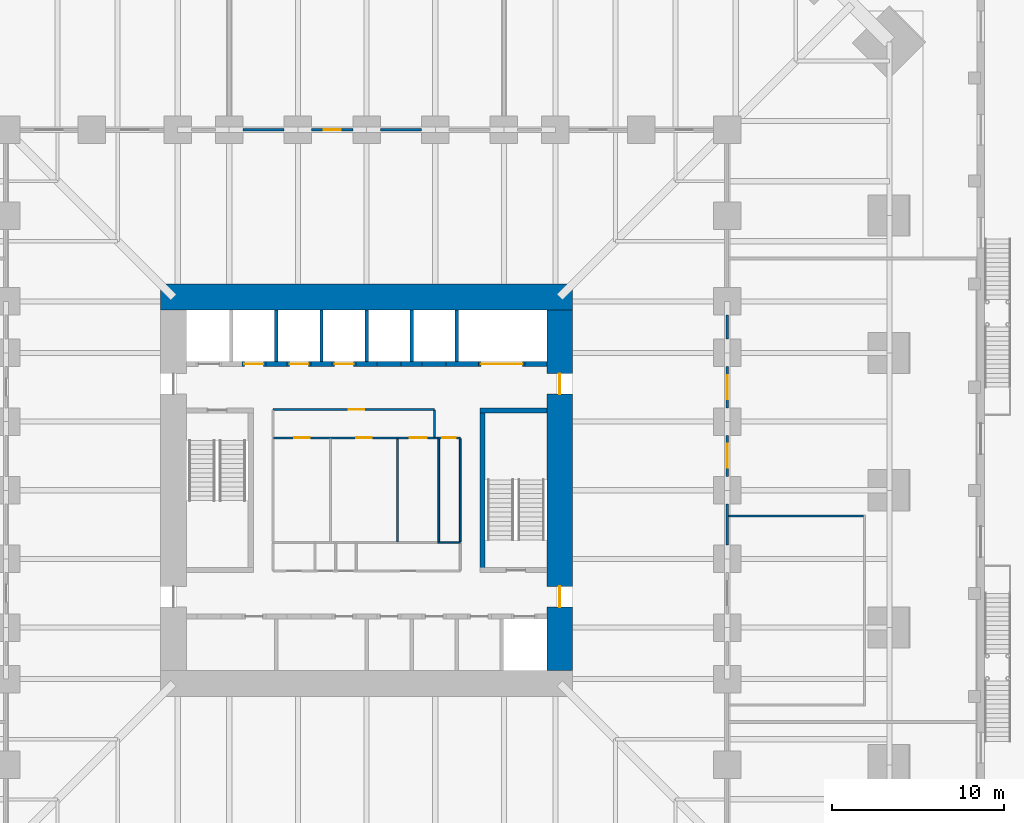
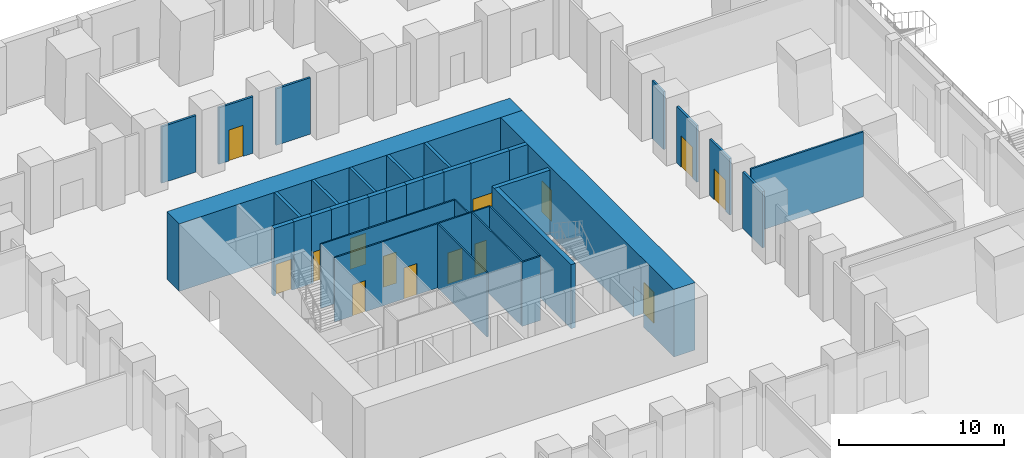
# One storey, part 13 of 20: 37 walls, 14 doors, 14 openings.
"""IFC4 building model written with IfcOpenShell, lengths in metres."""

import ifcopenshell
import ifcopenshell.guid

model = None  # the IFC model being written
_history = None  # IfcOwnerHistory: only IFC2X3 demands one
_inside = {}  # id of a spatial element -> (the spatial element, [elements in it])
_under = {}  # id of a project, library or spatial element -> (it, [spatial elements below it])
_declared = {}  # id of a project -> (the project, [libraries it declares])
_typed = {}  # id of a type object -> (the type object, [elements of that type])
_made_of = {}  # id of a material, layer set ... -> (it, [elements and type objects made of it])


def new_model(schema):
    """Start an empty IFC model of exactly this schema.

    Asked for "IFC4X3", IfcOpenShell would pick the latest addendum, in which some entities
    have other attributes; the version numbers below select the first issue.
    IFC2X3 requires an IfcOwnerHistory on every rooted entity: one is made here for all.
    """
    global model, _history
    if schema == "IFC4X3":
        model = ifcopenshell.file(schema_version=(4, 3, 0, 0))
    else:
        model = ifcopenshell.file(schema=schema)
    _inside.clear()
    _under.clear()
    _declared.clear()
    _typed.clear()
    _made_of.clear()
    _history = None
    if model.schema == "IFC2X3":
        org = make("IfcOrganization", Name="unknown")
        user = make(
            "IfcPersonAndOrganization",
            ThePerson=make("IfcPerson", FamilyName="unknown"),
            TheOrganization=org,
        )
        app = make(
            "IfcApplication",
            ApplicationDeveloper=org,
            Version="unknown",
            ApplicationFullName="unknown",
            ApplicationIdentifier="unknown",
        )
        _history = make(
            "IfcOwnerHistory",
            OwningUser=user,
            OwningApplication=app,
            ChangeAction="ADDED",
            CreationDate=0,
        )
    return model


def make(cls, **values):
    """One entity of the class cls with the attributes given. An attribute that is None is left unset."""
    return model.create_entity(
        cls, **{name: value for name, value in values.items() if value is not None}
    )


def rooted(cls, **values):
    """An entity with a GlobalId (a new one), such as an element, a storey or a relation."""
    return make(cls, GlobalId=ifcopenshell.guid.new(), OwnerHistory=_history, **values)


def si_unit(unit_type, name, prefix=None):
    """IfcSIUnit, for example si_unit("LENGTHUNIT", "METRE", prefix="MILLI")."""
    return make("IfcSIUnit", UnitType=unit_type, Prefix=prefix, Name=name)


def assignment(units):
    """IfcUnitAssignment: the units of a project."""
    return None if units is None else make("IfcUnitAssignment", Units=units)


def point(xyz):
    """IfcCartesianPoint."""
    return None if xyz is None else make("IfcCartesianPoint", Coordinates=xyz)


def direction(xyz):
    """IfcDirection."""
    return None if xyz is None else make("IfcDirection", DirectionRatios=xyz)


def frame(location, z_axis=None, x_axis=None):
    """IfcAxis2Placement3D, a coordinate frame: its origin and axes. An axis left out is left unset."""
    return make(
        "IfcAxis2Placement3D",
        Location=point(location),
        Axis=direction(z_axis),
        RefDirection=direction(x_axis),
    )


def frame_2d(location, x_axis=None):
    """IfcAxis2Placement2D, a coordinate frame in the plane: its origin and x axis."""
    return make(
        "IfcAxis2Placement2D", Location=point(location), RefDirection=direction(x_axis)
    )


def origin():
    """The frame at (0, 0, 0) with its axes left unset."""
    return frame((0.0, 0.0, 0.0))


def place(relative_to, where):
    """IfcLocalPlacement: puts the frame where relative to a parent placement (None: the world)."""
    return make(
        "IfcLocalPlacement", PlacementRelTo=relative_to, RelativePlacement=where
    )


def context(
    kind, dimensions, precision=None, world=None, true_north=None, identifier=None
):
    """IfcGeometricRepresentationContext, for example the 3D "Model" context."""
    return make(
        "IfcGeometricRepresentationContext",
        ContextIdentifier=identifier,
        ContextType=kind,
        CoordinateSpaceDimension=dimensions,
        Precision=precision,
        WorldCoordinateSystem=world,
        TrueNorth=true_north,
    )


def subcontext(parent, identifier, kind, view, scale=None):
    """IfcGeometricRepresentationSubContext, for example "Body" below "Model"."""
    return make(
        "IfcGeometricRepresentationSubContext",
        ContextIdentifier=identifier,
        ContextType=kind,
        ParentContext=parent,
        TargetScale=scale,
        TargetView=view,
    )


def project(units=None, contexts=None):
    """IfcProject with its units and contexts."""
    return rooted(
        "IfcProject",
        Name="project",
        RepresentationContexts=contexts,
        UnitsInContext=assignment(units),
    )


def spatial(cls, under=None, at=None, **own):
    """A site, building, storey or space (cls), placed at a placement, below another one or the project."""
    s = rooted(cls, ObjectPlacement=at, **own)
    if under is not None:
        _under.setdefault(under.id(), (under, []))[1].append(s)
    return s


def profile(cls, at=None, kind="AREA", **sizes):
    """A parametric profile (cls). Its sizes go by their IFC names, for example OverallWidth=200.0."""
    return make(cls, ProfileType=kind, Position=at, **sizes)


def rectangle(**sizes):
    """IfcRectangleProfileDef."""
    return profile("IfcRectangleProfileDef", **sizes)


def extrude(swept, where, along, depth):
    """IfcExtrudedAreaSolid: the profile swept, set in the frame where, extruded along a direction by depth."""
    return make(
        "IfcExtrudedAreaSolid",
        SweptArea=swept,
        Position=where,
        ExtrudedDirection=direction(along),
        Depth=depth,
    )


def shape(context_of_items, identifier, shape_type, items):
    """IfcShapeRepresentation: the items that make up one representation, for example the "Body"."""
    return make(
        "IfcShapeRepresentation",
        ContextOfItems=context_of_items,
        RepresentationIdentifier=identifier,
        RepresentationType=shape_type,
        Items=items,
    )


def material(Name=None, Category=None):
    """IfcMaterial."""
    return make("IfcMaterial", Name=Name, Category=Category)


def layer(
    of_material, thickness, ventilated=None, Name=None, Category=None, Priority=None
):
    """IfcMaterialLayer: one layer of a wall or slab, of a material (None: an air gap)."""
    return make(
        "IfcMaterialLayer",
        Material=of_material,
        LayerThickness=thickness,
        IsVentilated=ventilated,
        Name=Name,
        Category=Category,
        Priority=Priority,
    )


def layer_set(layers, Name=None):
    """IfcMaterialLayerSet."""
    return make("IfcMaterialLayerSet", MaterialLayers=layers, LayerSetName=Name)


def made_of(thing, what):
    """Note that an element or type object is made of a material, layer set ...; save() writes the relation."""
    if what is not None:
        _made_of.setdefault(what.id(), (what, []))[1].append(thing)
    return thing


def type_object(cls, material=None, **own):
    """A type object (cls), such as IfcWallType, which elements share."""
    return made_of(rooted(cls, **own), material)


def element(
    cls,
    number,
    at=None,
    inside=None,
    cuts=None,
    type_object=None,
    material=None,
    context=None,
    identifier="Body",
    shape_type=None,
    held_by="IfcProductDefinitionShape",
    body=None,
    shapes=None,
    **own,
):
    """One element of the class cls, such as IfcWall. Its Tag is "e" and its number.

    at: its placement. inside: the storey or other place that contains it. cuts: it is an
    opening in that element (IfcRelVoidsElement). A single representation is given by context,
    identifier, shape_type and body (its items); several are given by shapes. held_by: the class
    of the entity that holds the representations. save() writes the other relations.
    """
    e = rooted(cls, Tag="e%d" % number, ObjectPlacement=at, **own)
    if body is not None:
        shapes = [shape(context, identifier, shape_type, body)]
    if shapes is not None:
        e.Representation = make(held_by, Representations=shapes)
    if inside is not None:
        _inside.setdefault(inside.id(), (inside, []))[1].append(e)
    if cuts is not None:
        rooted(
            "IfcRelVoidsElement", RelatingBuildingElement=cuts, RelatedOpeningElement=e
        )
    if type_object is not None:
        _typed.setdefault(type_object.id(), (type_object, []))[1].append(e)
    return made_of(e, material)


def fill(opening, filler):
    """IfcRelFillsElement: the door or window that sits in an opening."""
    return rooted(
        "IfcRelFillsElement",
        RelatingOpeningElement=opening,
        RelatedBuildingElement=filler,
    )


def aggregate(whole, parts):
    """IfcRelAggregates: a whole, such as a stair, and the parts it consists of."""
    return rooted("IfcRelAggregates", RelatingObject=whole, RelatedObjects=parts)


def save(model, path):
    """Write the relations noted so far, then the file.

    IfcRelAggregates (storeys below a building ...), IfcRelContainedInSpatialStructure (elements
    in a storey), IfcRelDefinesByType, IfcRelAssociatesMaterial and IfcRelDeclares: one each for
    every whole, place, type object, material and project.
    """
    for whole, parts in _under.values():
        aggregate(whole, parts)
    for where, things in _inside.values():
        rooted(
            "IfcRelContainedInSpatialStructure",
            RelatedElements=things,
            RelatingStructure=where,
        )
    for kind, things in _typed.values():
        rooted("IfcRelDefinesByType", RelatedObjects=things, RelatingType=kind)
    for what, things in _made_of.values():
        rooted("IfcRelAssociatesMaterial", RelatedObjects=things, RelatingMaterial=what)
    for by, libraries in _declared.values():
        rooted("IfcRelDeclares", RelatingContext=by, RelatedDefinitions=libraries)
    model.write(path)


model = new_model("IFC4")

# Units and contexts
model_context = context("Model", 3, precision=1e-05, world=origin(), true_north=direction((0.0, 1.0)))
body_context = subcontext(model_context, "Body", "Model", "MODEL_VIEW")
ifc_project = project(units=[si_unit("LENGTHUNIT", "METRE"), si_unit("AREAUNIT", "SQUARE_METRE"), si_unit("VOLUMEUNIT", "CUBIC_METRE"), si_unit("PLANEANGLEUNIT", "RADIAN"), si_unit("MASSUNIT", "GRAM", prefix="KILO")], contexts=[model_context])

# Site, building, storey
site_placement = place(None, origin())
site = spatial("IfcSite", under=ifc_project, at=site_placement, CompositionType="ELEMENT")
building_placement = place(site_placement, origin())
building = spatial("IfcBuilding", under=site, at=building_placement, Name="Peilmerk Tower", CompositionType="ELEMENT")
storey_placement = place(building_placement, frame((0.0, 0.0, 11.0)))
storey = spatial("IfcBuildingStorey", under=building, at=storey_placement, Name="L02", CompositionType="ELEMENT", Elevation=11.0)

# Wall
ifc_material_1 = material(Name="Calcium silicate block", Category="masonry")
ifc_layer_1 = layer(ifc_material_1, 0.14990234375)
ifc_layer_set_1 = layer_set([ifc_layer_1], Name="Calcium silicate block")
wall_type_1 = type_object("IfcWallType", Name="IW1 150 corridor partition, EI 60", PredefinedType="PARTITIONING", material=ifc_layer_set_1)
wall_1_placement = place(storey_placement, frame((-7.199951171875, 21.0, 0.0), z_axis=(0.0, 0.0, 1.0), x_axis=(1.0, 0.0, 0.0)))
element("IfcWall", 1, at=wall_1_placement, inside=storey, type_object=wall_type_1, Name="Corridor wall Nd L02", PredefinedType="PARTITIONING", context=body_context, shape_type="SweptSolid", body=[
    extrude(rectangle(XDim=2.39990234375, YDim=0.14990234375, at=frame_2d((1.199951171875, 0.0))), origin(), (0.0, 0.0, 1.0), 4.179931640625),
])

# Wall, opening, door
wall_2_placement = place(storey_placement, frame((-3.199951171875, 21.0, 0.0), z_axis=(0.0, 0.0, 1.0), x_axis=(1.0, 0.0, 0.0)))
wall_2 = element("IfcWall", 2, at=wall_2_placement, inside=storey, type_object=wall_type_1, Name="Corridor wall Ne L02", PredefinedType="PARTITIONING", context=body_context, shape_type="SweptSolid", body=[
    extrude(rectangle(XDim=2.39990234375, YDim=0.14990234375, at=frame_2d((1.199951171875, 0.0))), origin(), (0.0, 0.0, 1.0), 4.179931640625),
])
opening_1_placement = place(wall_2_placement, frame((0.699951171875, 0.0, 0.0)))
opening_1 = element("IfcOpeningElement", 3, at=opening_1_placement, cuts=wall_2, Name="Opening D1", PredefinedType="OPENING", context=body_context, shape_type="SweptSolid", body=[
    extrude(rectangle(XDim=1.0, YDim=2.300048828125, at=frame_2d((0.5, 1.14990234375))), frame((0.0, 0.0849609375, 0.0), z_axis=(0.0, -1.0, 0.0), x_axis=(1.0, 0.0, 0.0)), (0.0, 0.0, 1.0), 0.169921875),
])
ifc_material_2 = material(Name="Timber door in steel frame", Category="steel")
door_type_1 = type_object("IfcDoorType", Name="D1 1000x2300 room door, EI2 30", OperationType="SINGLE_SWING_LEFT", PredefinedType="DOOR", material=ifc_material_2)
door_1_placement = place(opening_1_placement, origin())
door_1 = element("IfcDoor", 4, at=door_1_placement, inside=storey, type_object=door_type_1, Name="Door Visitor gallery L02", OperationType="SINGLE_SWING_LEFT", OverallHeight=2.300048828125, OverallWidth=1.0, PredefinedType="DOOR", context=body_context, shape_type="SweptSolid", body=[
    extrude(rectangle(XDim=1.0, YDim=2.300048828125, at=frame_2d((0.5, 1.14990234375))), frame((0.0, 0.02490234375, 0.0), z_axis=(0.0, -1.0, 0.0), x_axis=(1.0, 0.0, 0.0)), (0.0, 0.0, 1.0), 0.050048828125),
])
fill(opening_1, door_1)

# Walls
for number, where, z_axis, x_axis, name in (
    (5, (0.800048828125, 21.0, 0.0), (0.0, 0.0, 1.0), (1.0, 0.0, 0.0), "Corridor wall Nf L02"),
    (6, (21.0, -3.199951171875, 0.0), (0.0, 0.0, 1.0), (0.0, 1.0, 0.0), "Corridor wall Ee L02"),
):
    element("IfcWall", number, at=place(storey_placement, frame(where, z_axis=z_axis, x_axis=x_axis)), inside=storey, type_object=wall_type_1, Name=name, PredefinedType="PARTITIONING", context=body_context, shape_type="SweptSolid", body=[
        extrude(rectangle(XDim=2.39990234375, YDim=0.14990234375, at=frame_2d((1.199951171875, 0.0))), origin(), (0.0, 0.0, 1.0), 4.179931640625),
    ])

# Wall, opening, door
wall_3_placement = place(storey_placement, frame((21.0, 0.800048828125, 0.0), z_axis=(0.0, 0.0, 1.0), x_axis=(0.0, 1.0, 0.0)))
wall_3 = element("IfcWall", 7, at=wall_3_placement, inside=storey, type_object=wall_type_1, Name="Corridor wall Ef L02", PredefinedType="PARTITIONING", context=body_context, shape_type="SweptSolid", body=[
    extrude(rectangle(XDim=2.39990234375, YDim=0.14990234375, at=frame_2d((1.199951171875, 0.0))), origin(), (0.0, 0.0, 1.0), 4.179931640625),
])
opening_2_placement = place(wall_3_placement, frame((0.5, 0.0, 0.0)))
opening_2 = element("IfcOpeningElement", 8, at=opening_2_placement, cuts=wall_3, Name="Opening D8", PredefinedType="OPENING", context=body_context, shape_type="SweptSolid", body=[
    extrude(rectangle(XDim=1.39990234375, YDim=2.300048828125, at=frame_2d((0.699951171875, 1.14990234375))), frame((0.0, 0.0849609375, 0.0), z_axis=(0.0, -1.0, 0.0), x_axis=(1.0, 0.0, 0.0)), (0.0, 0.0, 1.0), 0.169921875),
])
door_type_2 = type_object("IfcDoorType", Name="D8 1400x2300 leaf-and-a-half door, EI2 30", OperationType="DOUBLE_DOOR_SINGLE_SWING", PredefinedType="DOOR", material=ifc_material_2)
door_2_placement = place(opening_2_placement, frame((1.39990234375, 0.0, 0.0), z_axis=(0.0, 0.0, 1.0), x_axis=(-1.0, 0.0, 0.0)))
door_2 = element("IfcDoor", 9, at=door_2_placement, inside=storey, type_object=door_type_2, Name="Door Open workspace L02", OperationType="DOUBLE_DOOR_SINGLE_SWING", OverallHeight=2.300048828125, OverallWidth=1.39990234375, PredefinedType="DOOR", context=body_context, shape_type="SweptSolid", body=[
    extrude(rectangle(XDim=1.39990234375, YDim=2.300048828125, at=frame_2d((0.699951171875, 1.14990234375))), frame((0.0, 0.02490234375, 0.0), z_axis=(0.0, -1.0, 0.0), x_axis=(1.0, 0.0, 0.0)), (0.0, 0.0, 1.0), 0.050048828125),
])
fill(opening_2, door_2)

wall_4_placement = place(storey_placement, frame((21.0, 4.800048828125, 0.0), z_axis=(0.0, 0.0, 1.0), x_axis=(0.0, 1.0, 0.0)))
wall_4 = element("IfcWall", 10, at=wall_4_placement, inside=storey, type_object=wall_type_1, Name="Corridor wall Eg L02", PredefinedType="PARTITIONING", context=body_context, shape_type="SweptSolid", body=[
    extrude(rectangle(XDim=2.39990234375, YDim=0.14990234375, at=frame_2d((1.199951171875, 0.0))), origin(), (0.0, 0.0, 1.0), 4.179931640625),
])
opening_3_placement = place(wall_4_placement, frame((0.5, 0.0, 0.0)))
opening_3 = element("IfcOpeningElement", 11, at=opening_3_placement, cuts=wall_4, Name="Opening D8", PredefinedType="OPENING", context=body_context, shape_type="SweptSolid", body=[
    extrude(rectangle(XDim=1.39990234375, YDim=2.300048828125, at=frame_2d((0.699951171875, 1.14990234375))), frame((0.0, 0.0849609375, 0.0), z_axis=(0.0, -1.0, 0.0), x_axis=(1.0, 0.0, 0.0)), (0.0, 0.0, 1.0), 0.169921875),
])
door_3_placement = place(opening_3_placement, frame((1.39990234375, 0.0, 0.0), z_axis=(0.0, 0.0, 1.0), x_axis=(-1.0, 0.0, 0.0)))
door_3 = element("IfcDoor", 12, at=door_3_placement, inside=storey, type_object=door_type_2, Name="Door Open workspace L02", OperationType="DOUBLE_DOOR_SINGLE_SWING", OverallHeight=2.300048828125, OverallWidth=1.39990234375, PredefinedType="DOOR", context=body_context, shape_type="SweptSolid", body=[
    extrude(rectangle(XDim=1.39990234375, YDim=2.300048828125, at=frame_2d((0.699951171875, 1.14990234375))), frame((0.0, 0.02490234375, 0.0), z_axis=(0.0, -1.0, 0.0), x_axis=(1.0, 0.0, 0.0)), (0.0, 0.0, 1.0), 0.050048828125),
])
fill(opening_3, door_3)

# Walls
wall_5_placement = place(storey_placement, frame((21.0, 8.800048828125, 0.0), z_axis=(0.0, 0.0, 1.0), x_axis=(0.0, 1.0, 0.0)))
element("IfcWall", 13, at=wall_5_placement, inside=storey, type_object=wall_type_1, Name="Corridor wall Eh L02", PredefinedType="PARTITIONING", context=body_context, shape_type="SweptSolid", body=[
    extrude(rectangle(XDim=1.39990234375, YDim=0.14990234375, at=frame_2d((0.699951171875, 0.0))), origin(), (0.0, 0.0, 1.0), 4.27587890625),
])
ifc_material_3 = material(Name="Concrete C35/45", Category="concrete")
ifc_layer_2 = layer(ifc_material_3, 0.300048828125)
ifc_layer_set_2 = layer_set([ifc_layer_2], Name="Concrete C35/45")
wall_type_2 = type_object("IfcWallType", Name="IW3 300 concrete stair enclosure wall, EI 120", PredefinedType="SOLIDWALL", material=ifc_layer_set_2)
wall_6_placement = place(storey_placement, frame((6.75, -4.800048828125, 0.0), z_axis=(0.0, 0.0, 1.0), x_axis=(0.0, 1.0, 0.0)))
element("IfcWall", 14, at=wall_6_placement, inside=storey, type_object=wall_type_2, Name="Stair 2 enclosure L02", PredefinedType="SOLIDWALL", context=body_context, shape_type="SweptSolid", body=[
    extrude(rectangle(XDim=9.60009765625, YDim=0.300048828125, at=frame_2d((4.800048828125, 0.0))), origin(), (0.0, 0.0, 1.0), 4.75),
])
wall_7_placement = place(storey_placement, frame((6.60009765625, 4.64990234375, 0.0), z_axis=(0.0, 0.0, 1.0), x_axis=(1.0, 0.0, 0.0)))
element("IfcWall", 15, at=wall_7_placement, inside=storey, type_object=wall_type_2, Name="Stair 2 enclosure L02", PredefinedType="SOLIDWALL", context=body_context, shape_type="SweptSolid", body=[
    extrude(rectangle(XDim=3.89990234375, YDim=0.300048828125, at=frame_2d((1.949951171875, 0.0))), origin(), (0.0, 0.0, 1.0), 4.75),
])

# Wall, openings, doors
ifc_material_4 = material(Name="Plasterboard on steel studs", Category="steel")
ifc_layer_3 = layer(ifc_material_4, 0.10009765625)
ifc_layer_set_3 = layer_set([ifc_layer_3], Name="Plasterboard on steel studs")
wall_type_3 = type_object("IfcWallType", Name="IW4 100 WC partition", PredefinedType="PARTITIONING", material=ifc_layer_set_3)
wall_8_placement = place(storey_placement, frame((-5.449951171875, 3.050048828125, 0.0), z_axis=(0.0, 0.0, 1.0), x_axis=(1.0, 0.0, 0.0)))
wall_8 = element("IfcWall", 16, at=wall_8_placement, inside=storey, type_object=wall_type_3, Name="WC wall L02", PredefinedType="PARTITIONING", context=body_context, shape_type="SweptSolid", body=[
    extrude(rectangle(XDim=9.599853515625, YDim=0.10009765625, at=frame_2d((4.7998046875, 0.0))), origin(), (0.0, 0.0, 1.0), 4.75),
])
opening_4_placement = place(wall_8_placement, frame((1.25, 0.0, 0.0)))
opening_4 = element("IfcOpeningElement", 17, at=opening_4_placement, cuts=wall_8, Name="Opening D5", PredefinedType="OPENING", context=body_context, shape_type="SweptSolid", body=[
    extrude(rectangle(XDim=0.89990234375, YDim=2.300048828125, at=frame_2d((0.449951171875, 1.14990234375))), frame((0.0, 0.06005859375, 0.0), z_axis=(0.0, -1.0, 0.0), x_axis=(1.0, 0.0, 0.0)), (0.0, 0.0, 1.0), 0.1201171875),
])
opening_5_placement = place(wall_8_placement, frame((4.85009765625, 0.0, 0.0)))
opening_5 = element("IfcOpeningElement", 18, at=opening_5_placement, cuts=wall_8, Name="Opening D5", PredefinedType="OPENING", context=body_context, shape_type="SweptSolid", body=[
    extrude(rectangle(XDim=0.89990234375, YDim=2.300048828125, at=frame_2d((0.449951171875, 1.14990234375))), frame((0.0, 0.06005859375, 0.0), z_axis=(0.0, -1.0, 0.0), x_axis=(1.0, 0.0, 0.0)), (0.0, 0.0, 1.0), 0.1201171875),
])
opening_6_placement = place(wall_8_placement, frame((7.949951171875, 0.0, 0.0)))
opening_6 = element("IfcOpeningElement", 19, at=opening_6_placement, cuts=wall_8, Name="Opening D6", PredefinedType="OPENING", context=body_context, shape_type="SweptSolid", body=[
    extrude(rectangle(XDim=1.0, YDim=2.300048828125, at=frame_2d((0.5, 1.14990234375))), frame((0.0, 0.06005859375, 0.0), z_axis=(0.0, -1.0, 0.0), x_axis=(1.0, 0.0, 0.0)), (0.0, 0.0, 1.0), 0.1201171875),
])
door_type_3 = type_object("IfcDoorType", Name="D5 900x2300 WC door", OperationType="SINGLE_SWING_LEFT", PredefinedType="DOOR", material=ifc_material_2)
door_4_placement = place(opening_4_placement, frame((0.89990234375, 0.0, 0.0), z_axis=(0.0, 0.0, 1.0), x_axis=(-1.0, 0.0, 0.0)))
door_4 = element("IfcDoor", 20, at=door_4_placement, inside=storey, type_object=door_type_3, Name="Female toilets door L02", OperationType="SINGLE_SWING_LEFT", OverallHeight=2.300048828125, OverallWidth=0.89990234375, PredefinedType="DOOR", context=body_context, shape_type="SweptSolid", body=[
    extrude(rectangle(XDim=0.89990234375, YDim=2.300048828125, at=frame_2d((0.449951171875, 1.14990234375))), frame((0.0, 0.02490234375, 0.0), z_axis=(0.0, -1.0, 0.0), x_axis=(1.0, 0.0, 0.0)), (0.0, 0.0, 1.0), 0.050048828125),
])
fill(opening_4, door_4)
door_5_placement = place(opening_5_placement, frame((0.89990234375, 0.0, 0.0), z_axis=(0.0, 0.0, 1.0), x_axis=(-1.0, 0.0, 0.0)))
door_5 = element("IfcDoor", 21, at=door_5_placement, inside=storey, type_object=door_type_3, Name="Male toilets door L02", OperationType="SINGLE_SWING_LEFT", OverallHeight=2.300048828125, OverallWidth=0.89990234375, PredefinedType="DOOR", context=body_context, shape_type="SweptSolid", body=[
    extrude(rectangle(XDim=0.89990234375, YDim=2.300048828125, at=frame_2d((0.449951171875, 1.14990234375))), frame((0.0, 0.02490234375, 0.0), z_axis=(0.0, -1.0, 0.0), x_axis=(1.0, 0.0, 0.0)), (0.0, 0.0, 1.0), 0.050048828125),
])
fill(opening_5, door_5)
door_type_4 = type_object("IfcDoorType", Name="D6 1000x2300 accessible WC door", OperationType="SLIDING_TO_LEFT", PredefinedType="DOOR", material=ifc_material_2)
door_6_placement = place(opening_6_placement, frame((1.0, 0.0, 0.0), z_axis=(0.0, 0.0, 1.0), x_axis=(-1.0, 0.0, 0.0)))
door_6 = element("IfcDoor", 22, at=door_6_placement, inside=storey, type_object=door_type_4, Name="Accessible WC door L02", OperationType="SLIDING_TO_LEFT", OverallHeight=2.300048828125, OverallWidth=1.0, PredefinedType="DOOR", context=body_context, shape_type="SweptSolid", body=[
    extrude(rectangle(XDim=1.0, YDim=2.300048828125, at=frame_2d((0.5, 1.14990234375))), frame((0.0, 0.02490234375, 0.0), z_axis=(0.0, -1.0, 0.0), x_axis=(1.0, 0.0, 0.0)), (0.0, 0.0, 1.0), 0.050048828125),
])
fill(opening_6, door_6)

# Wall
wall_9_placement = place(storey_placement, frame((1.800048828125, -3.0, 0.0), z_axis=(0.0, 0.0, 1.0), x_axis=(0.0, 1.0, 0.0)))
element("IfcWall", 23, at=wall_9_placement, inside=storey, type_object=wall_type_3, Name="WC wall L02", PredefinedType="PARTITIONING", context=body_context, shape_type="SweptSolid", body=[
    extrude(rectangle(XDim=6.0, YDim=0.10009765625, at=frame_2d((3.0, 0.0))), origin(), (0.0, 0.0, 1.0), 4.75),
])

# Wall, opening, door
ifc_material_5 = material(Name="Calcium silicate board on steel studs", Category="steel")
ifc_layer_4 = layer(ifc_material_5, 0.10009765625)
ifc_layer_set_4 = layer_set([ifc_layer_4], Name="Calcium silicate board on steel studs")
wall_type_4 = type_object("IfcWallType", Name="IW5 100 riser enclosure wall, EI 60", PredefinedType="PARTITIONING", material=ifc_layer_set_4)
wall_10_placement = place(storey_placement, frame((4.14990234375, 3.050048828125, 0.0), z_axis=(0.0, 0.0, 1.0), x_axis=(1.0, 0.0, 0.0)))
wall_10 = element("IfcWall", 24, at=wall_10_placement, inside=storey, type_object=wall_type_4, Name="Riser wall L02", PredefinedType="PARTITIONING", context=body_context, shape_type="SweptSolid", body=[
    extrude(rectangle(XDim=1.300048828125, YDim=0.10009765625, at=frame_2d((0.64990234375, 0.0))), origin(), (0.0, 0.0, 1.0), 4.75),
])
opening_7_placement = place(wall_10_placement, frame((0.25, 0.0, 0.0)))
opening_7 = element("IfcOpeningElement", 25, at=opening_7_placement, cuts=wall_10, Name="Opening D7", PredefinedType="OPENING", context=body_context, shape_type="SweptSolid", body=[
    extrude(rectangle(XDim=0.800048828125, YDim=2.300048828125, at=frame_2d((0.39990234375, 1.14990234375))), frame((0.0, 0.06005859375, 0.0), z_axis=(0.0, -1.0, 0.0), x_axis=(1.0, 0.0, 0.0)), (0.0, 0.0, 1.0), 0.1201171875),
])
ifc_material_6 = material(Name="Steel door in steel frame", Category="steel")
door_type_5 = type_object("IfcDoorType", Name="D7 800x2300 riser access door, EI2 60", OperationType="SINGLE_SWING_RIGHT", PredefinedType="DOOR", material=ifc_material_6)
door_7_placement = place(opening_7_placement, frame((0.800048828125, 0.0, 0.0), z_axis=(0.0, 0.0, 1.0), x_axis=(-1.0, 0.0, 0.0)))
door_7 = element("IfcDoor", 26, at=door_7_placement, inside=storey, type_object=door_type_5, Name="Plumbing riser door L02", OperationType="SINGLE_SWING_RIGHT", OverallHeight=2.300048828125, OverallWidth=0.800048828125, PredefinedType="DOOR", context=body_context, shape_type="SweptSolid", body=[
    extrude(rectangle(XDim=0.800048828125, YDim=2.300048828125, at=frame_2d((0.39990234375, 1.14990234375))), frame((0.0, 0.02490234375, 0.0), z_axis=(0.0, -1.0, 0.0), x_axis=(1.0, 0.0, 0.0)), (0.0, 0.0, 1.0), 0.050048828125),
])
fill(opening_7, door_7)

# Walls
wall_11_placement = place(storey_placement, frame((5.449951171875, -3.050048828125, 0.0), z_axis=(0.0, 0.0, 1.0), x_axis=(-1.0, 0.0, 0.0)))
element("IfcWall", 27, at=wall_11_placement, inside=storey, type_object=wall_type_4, Name="Riser wall L02", PredefinedType="PARTITIONING", context=body_context, shape_type="SweptSolid", body=[
    extrude(rectangle(XDim=1.300048828125, YDim=0.10009765625, at=frame_2d((0.64990234375, 0.0))), origin(), (0.0, 0.0, 1.0), 4.75),
])
for number, where, z_axis, x_axis, name in (
    (28, (5.449951171875, 3.0, 0.0), (0.0, 0.0, 1.0), (0.0, -1.0, 0.0), "Riser wall L02"),
    (29, (4.199951171875, -3.0, 0.0), (0.0, 0.0, 1.0), (0.0, 1.0, 0.0), "Riser wall L02"),
):
    element("IfcWall", number, at=place(storey_placement, frame(where, z_axis=z_axis, x_axis=x_axis)), inside=storey, type_object=wall_type_4, Name=name, PredefinedType="PARTITIONING", context=body_context, shape_type="SweptSolid", body=[
        extrude(rectangle(XDim=6.0, YDim=0.10009765625, at=frame_2d((3.0, 0.0))), origin(), (0.0, 0.0, 1.0), 4.75),
    ])
ifc_material_7 = material(Name="Plasterboard on steel studs, double boarded with mineral wool", Category="steel")
ifc_layer_5 = layer(ifc_material_7, 0.125)
ifc_layer_set_5 = layer_set([ifc_layer_5], Name="Plasterboard on steel studs, double boarded with mineral wool")
wall_type_5 = type_object("IfcWallType", Name="IW7 125 acoustic partition, EI 30", PredefinedType="PARTITIONING", material=ifc_layer_set_5)
wall_12_placement = place(storey_placement, frame((21.074951171875, -1.5, 0.0), z_axis=(0.0, 0.0, 1.0), x_axis=(1.0, 0.0, 0.0)))
element("IfcWall", 30, at=wall_12_placement, inside=storey, type_object=wall_type_5, Name="Acoustic partition Training room L02", PredefinedType="PARTITIONING", context=body_context, shape_type="SweptSolid", body=[
    extrude(rectangle(XDim=7.862548828125, YDim=0.125, at=frame_2d((3.93115234375, 0.0))), origin(), (0.0, 0.0, 1.0), 4.800048828125),
])

# Wall, opening, door
ifc_material_8 = material(Name="Fire-resisting plasterboard on steel studs", Category="steel")
ifc_layer_6 = layer(ifc_material_8, 0.10009765625)
ifc_layer_set_6 = layer_set([ifc_layer_6], Name="Fire-resisting plasterboard on steel studs")
wall_type_6 = type_object("IfcWallType", Name="IW9 100 WC lobby wall, EI 30", PredefinedType="PARTITIONING", material=ifc_layer_set_6)
wall_13_placement = place(storey_placement, frame((-5.449951171875, 4.699951171875, 0.0), z_axis=(0.0, 0.0, 1.0), x_axis=(1.0, 0.0, 0.0)))
wall_13 = element("IfcWall", 31, at=wall_13_placement, inside=storey, type_object=wall_type_6, Name="WC lobby wall L02", PredefinedType="PARTITIONING", context=body_context, shape_type="SweptSolid", body=[
    extrude(rectangle(XDim=9.39990234375, YDim=0.10009765625, at=frame_2d((4.699951171875, 0.0))), origin(), (0.0, 0.0, 1.0), 4.75),
])
opening_8_placement = place(wall_13_placement, frame((4.39990234375, 0.0, 0.0)))
opening_8 = element("IfcOpeningElement", 32, at=opening_8_placement, cuts=wall_13, Name="Opening D11", PredefinedType="OPENING", context=body_context, shape_type="SweptSolid", body=[
    extrude(rectangle(XDim=0.89990234375, YDim=2.300048828125, at=frame_2d((0.449951171875, 1.14990234375))), frame((0.0, 0.06005859375, 0.0), z_axis=(0.0, -1.0, 0.0), x_axis=(1.0, 0.0, 0.0)), (0.0, 0.0, 1.0), 0.1201171875),
])
door_type_6 = type_object("IfcDoorType", Name="D11 900x2300 WC lobby door, EI2 30", OperationType="SINGLE_SWING_LEFT", PredefinedType="DOOR", material=ifc_material_2)
door_8_placement = place(opening_8_placement, frame((0.89990234375, 0.0, 0.0), z_axis=(0.0, 0.0, 1.0), x_axis=(-1.0, 0.0, 0.0)))
door_8 = element("IfcDoor", 33, at=door_8_placement, inside=storey, type_object=door_type_6, Name="WC lobby door L02", OperationType="SINGLE_SWING_LEFT", OverallHeight=2.300048828125, OverallWidth=0.89990234375, PredefinedType="DOOR", context=body_context, shape_type="SweptSolid", body=[
    extrude(rectangle(XDim=0.89990234375, YDim=2.300048828125, at=frame_2d((0.449951171875, 1.14990234375))), frame((0.0, 0.02490234375, 0.0), z_axis=(0.0, -1.0, 0.0), x_axis=(1.0, 0.0, 0.0)), (0.0, 0.0, 1.0), 0.050048828125),
])
fill(opening_8, door_8)

# Walls
wall_14_placement = place(storey_placement, frame((3.949951171875, 3.10009765625, 0.0), z_axis=(0.0, 0.0, 1.0), x_axis=(0.0, 1.0, 0.0)))
element("IfcWall", 34, at=wall_14_placement, inside=storey, type_object=wall_type_6, Name="WC lobby wall L02", PredefinedType="PARTITIONING", context=body_context, shape_type="SweptSolid", body=[
    extrude(rectangle(XDim=1.5498046875, YDim=0.10009765625, at=frame_2d((0.77490234375, 0.0))), origin(), (0.0, 0.0, 1.0), 4.75),
])
ifc_layer_7 = layer(ifc_material_1, 0.199951171875)
ifc_layer_set_7 = layer_set([ifc_layer_7], Name="Calcium silicate block")
wall_type_7 = type_object("IfcWallType", Name="SH1 200 shaft dividing wall, EI 120", PredefinedType="PARTITIONING", material=ifc_layer_set_7)
for number, where, z_axis, x_axis, name in (
    (35, (-5.25, 7.5, 0.0), (0.0, 0.0, 1.0), (0.0, 1.0, 0.0), "Shaft wall N A1 L02"),
    (36, (-2.625, 7.5, 0.0), (0.0, 0.0, 1.0), (0.0, 1.0, 0.0), "Shaft wall N A2 L02"),
    (37, (0.0, 7.5, 0.0), (0.0, 0.0, 1.0), (0.0, 1.0, 0.0), "Shaft wall N A3 L02"),
    (38, (2.625, 7.5, 0.0), (0.0, 0.0, 1.0), (0.0, 1.0, 0.0), "Shaft wall N S1 L02"),
    (39, (5.25, 7.5, 0.0), (0.0, 0.0, 1.0), (0.0, 1.0, 0.0), "Shaft wall N S2 L02"),
):
    element("IfcWall", number, at=place(storey_placement, frame(where, z_axis=z_axis, x_axis=x_axis)), inside=storey, type_object=wall_type_7, Name=name, PredefinedType="PARTITIONING", context=body_context, shape_type="SweptSolid", body=[
        extrude(rectangle(XDim=3.0, YDim=0.199951171875, at=frame_2d((1.5, 0.0))), origin(), (0.0, 0.0, 1.0), 5.0),
    ])

# Wall, opening, door
ifc_layer_8 = layer(ifc_material_1, 0.300048828125)
ifc_layer_set_8 = layer_set([ifc_layer_8], Name="Calcium silicate block")
wall_type_8 = type_object("IfcWallType", Name="SH2 300 lift landing door panel, EI 120", PredefinedType="PARTITIONING", material=ifc_layer_set_8)
wall_15_placement = place(storey_placement, frame((-7.262451171875, 7.35009765625, 0.0), z_axis=(0.0, 0.0, 1.0), x_axis=(1.0, 0.0, 0.0)))
wall_15 = element("IfcWall", 40, at=wall_15_placement, inside=storey, type_object=wall_type_8, Name="Lift door panel N A1 L02", PredefinedType="PARTITIONING", context=body_context, shape_type="SweptSolid", body=[
    extrude(rectangle(XDim=1.39990234375, YDim=0.300048828125, at=frame_2d((0.699951171875, 0.0))), origin(), (0.0, 0.0, 1.0), 5.0),
])
opening_9_placement = place(wall_15_placement, frame((0.14990234375, 0.0, 0.0)))
opening_9 = element("IfcOpeningElement", 41, at=opening_9_placement, cuts=wall_15, Name="Opening LD1", PredefinedType="OPENING", context=body_context, shape_type="SweptSolid", body=[
    extrude(rectangle(XDim=1.10009765625, YDim=2.300048828125, at=frame_2d((0.550048828125, 1.14990234375))), frame((0.0, 0.159912109375, 0.0), z_axis=(0.0, -1.0, 0.0), x_axis=(1.0, 0.0, 0.0)), (0.0, 0.0, 1.0), 0.320068359375),
])
ifc_material_9 = material(Name="Stainless steel landing door", Category="steel")
door_type_7 = type_object("IfcDoorType", Name="LD1 1100x2300 lift landing door, sliding, EI2 60", OperationType="SLIDING_TO_LEFT", PredefinedType="DOOR", material=ifc_material_9)
door_9_placement = place(opening_9_placement, frame((1.10009765625, 0.0, 0.0), z_axis=(0.0, 0.0, 1.0), x_axis=(-1.0, 0.0, 0.0)))
door_9 = element("IfcDoor", 42, at=door_9_placement, inside=storey, type_object=door_type_7, Name="Lift landing door A1 L02", OperationType="SLIDING_TO_LEFT", OverallHeight=2.300048828125, OverallWidth=1.10009765625, PredefinedType="DOOR", context=body_context, shape_type="SweptSolid", body=[
    extrude(rectangle(XDim=1.10009765625, YDim=2.300048828125, at=frame_2d((0.550048828125, 1.14990234375))), frame((0.0, 0.02490234375, 0.0), z_axis=(0.0, -1.0, 0.0), x_axis=(1.0, 0.0, 0.0)), (0.0, 0.0, 1.0), 0.050048828125),
])
fill(opening_9, door_9)

wall_16_placement = place(storey_placement, frame((-4.637451171875, 7.35009765625, 0.0), z_axis=(0.0, 0.0, 1.0), x_axis=(1.0, 0.0, 0.0)))
wall_16 = element("IfcWall", 43, at=wall_16_placement, inside=storey, type_object=wall_type_8, Name="Lift door panel N A2 L02", PredefinedType="PARTITIONING", context=body_context, shape_type="SweptSolid", body=[
    extrude(rectangle(XDim=1.39990234375, YDim=0.300048828125, at=frame_2d((0.699951171875, 0.0))), origin(), (0.0, 0.0, 1.0), 5.0),
])
opening_10_placement = place(wall_16_placement, frame((0.14990234375, 0.0, 0.0)))
opening_10 = element("IfcOpeningElement", 44, at=opening_10_placement, cuts=wall_16, Name="Opening LD1", PredefinedType="OPENING", context=body_context, shape_type="SweptSolid", body=[
    extrude(rectangle(XDim=1.10009765625, YDim=2.300048828125, at=frame_2d((0.550048828125, 1.14990234375))), frame((0.0, 0.159912109375, 0.0), z_axis=(0.0, -1.0, 0.0), x_axis=(1.0, 0.0, 0.0)), (0.0, 0.0, 1.0), 0.320068359375),
])
door_10_placement = place(opening_10_placement, frame((1.10009765625, 0.0, 0.0), z_axis=(0.0, 0.0, 1.0), x_axis=(-1.0, 0.0, 0.0)))
door_10 = element("IfcDoor", 45, at=door_10_placement, inside=storey, type_object=door_type_7, Name="Lift landing door A2 L02", OperationType="SLIDING_TO_LEFT", OverallHeight=2.300048828125, OverallWidth=1.10009765625, PredefinedType="DOOR", context=body_context, shape_type="SweptSolid", body=[
    extrude(rectangle(XDim=1.10009765625, YDim=2.300048828125, at=frame_2d((0.550048828125, 1.14990234375))), frame((0.0, 0.02490234375, 0.0), z_axis=(0.0, -1.0, 0.0), x_axis=(1.0, 0.0, 0.0)), (0.0, 0.0, 1.0), 0.050048828125),
])
fill(opening_10, door_10)

wall_17_placement = place(storey_placement, frame((-2.012451171875, 7.35009765625, 0.0), z_axis=(0.0, 0.0, 1.0), x_axis=(1.0, 0.0, 0.0)))
wall_17 = element("IfcWall", 46, at=wall_17_placement, inside=storey, type_object=wall_type_8, Name="Lift door panel N A3 L02", PredefinedType="PARTITIONING", context=body_context, shape_type="SweptSolid", body=[
    extrude(rectangle(XDim=1.39990234375, YDim=0.300048828125, at=frame_2d((0.699951171875, 0.0))), origin(), (0.0, 0.0, 1.0), 5.0),
])
opening_11_placement = place(wall_17_placement, frame((0.14990234375, 0.0, 0.0)))
opening_11 = element("IfcOpeningElement", 47, at=opening_11_placement, cuts=wall_17, Name="Opening LD1", PredefinedType="OPENING", context=body_context, shape_type="SweptSolid", body=[
    extrude(rectangle(XDim=1.10009765625, YDim=2.300048828125, at=frame_2d((0.550048828125, 1.14990234375))), frame((0.0, 0.159912109375, 0.0), z_axis=(0.0, -1.0, 0.0), x_axis=(1.0, 0.0, 0.0)), (0.0, 0.0, 1.0), 0.320068359375),
])
door_11_placement = place(opening_11_placement, frame((1.10009765625, 0.0, 0.0), z_axis=(0.0, 0.0, 1.0), x_axis=(-1.0, 0.0, 0.0)))
door_11 = element("IfcDoor", 48, at=door_11_placement, inside=storey, type_object=door_type_7, Name="Lift landing door A3 L02", OperationType="SLIDING_TO_LEFT", OverallHeight=2.300048828125, OverallWidth=1.10009765625, PredefinedType="DOOR", context=body_context, shape_type="SweptSolid", body=[
    extrude(rectangle(XDim=1.10009765625, YDim=2.300048828125, at=frame_2d((0.550048828125, 1.14990234375))), frame((0.0, 0.02490234375, 0.0), z_axis=(0.0, -1.0, 0.0), x_axis=(1.0, 0.0, 0.0)), (0.0, 0.0, 1.0), 0.050048828125),
])
fill(opening_11, door_11)

# Walls
for number, where, z_axis, x_axis, name in (
    (49, (0.612548828125, 7.35009765625, 0.0), (0.0, 0.0, 1.0), (1.0, 0.0, 0.0), "Lift door panel N S1 L02"),
    (50, (3.237548828125, 7.35009765625, 0.0), (0.0, 0.0, 1.0), (1.0, 0.0, 0.0), "Lift door panel N S2 L02"),
):
    element("IfcWall", number, at=place(storey_placement, frame(where, z_axis=z_axis, x_axis=x_axis)), inside=storey, type_object=wall_type_8, Name=name, PredefinedType="PARTITIONING", context=body_context, shape_type="SweptSolid", body=[
        extrude(rectangle(XDim=1.39990234375, YDim=0.300048828125, at=frame_2d((0.699951171875, 0.0))), origin(), (0.0, 0.0, 1.0), 5.0),
    ])

# Wall, opening, door
wall_18_placement = place(storey_placement, frame((6.52490234375, 7.35009765625, 0.0), z_axis=(0.0, 0.0, 1.0), x_axis=(1.0, 0.0, 0.0)))
wall_18 = element("IfcWall", 51, at=wall_18_placement, inside=storey, type_object=wall_type_8, Name="Lift door panel N GL1 L02", PredefinedType="PARTITIONING", context=body_context, shape_type="SweptSolid", body=[
    extrude(rectangle(XDim=2.7001953125, YDim=0.300048828125, at=frame_2d((1.35009765625, 0.0))), origin(), (0.0, 0.0, 1.0), 5.0),
])
opening_12_placement = place(wall_18_placement, frame((0.14990234375, 0.0, 0.0)))
opening_12 = element("IfcOpeningElement", 52, at=opening_12_placement, cuts=wall_18, Name="Opening LD3", PredefinedType="OPENING", context=body_context, shape_type="SweptSolid", body=[
    extrude(rectangle(XDim=2.39990234375, YDim=2.300048828125, at=frame_2d((1.199951171875, 1.14990234375))), frame((0.0, 0.159912109375, 0.0), z_axis=(0.0, -1.0, 0.0), x_axis=(1.0, 0.0, 0.0)), (0.0, 0.0, 1.0), 0.320068359375),
])
door_type_8 = type_object("IfcDoorType", Name="LD3 2400x2300 lift landing door, sliding, EI2 60", OperationType="SLIDING_TO_LEFT", PredefinedType="DOOR", material=ifc_material_9)
door_12_placement = place(opening_12_placement, frame((2.39990234375, 0.0, 0.0), z_axis=(0.0, 0.0, 1.0), x_axis=(-1.0, 0.0, 0.0)))
door_12 = element("IfcDoor", 53, at=door_12_placement, inside=storey, type_object=door_type_8, Name="Lift landing door GL1 L02", OperationType="SLIDING_TO_LEFT", OverallHeight=2.300048828125, OverallWidth=2.39990234375, PredefinedType="DOOR", context=body_context, shape_type="SweptSolid", body=[
    extrude(rectangle(XDim=2.39990234375, YDim=2.300048828125, at=frame_2d((1.199951171875, 1.14990234375))), frame((0.0, 0.02490234375, 0.0), z_axis=(0.0, -1.0, 0.0), x_axis=(1.0, 0.0, 0.0)), (0.0, 0.0, 1.0), 0.050048828125),
])
fill(opening_12, door_12)

# Wall
ifc_material_10 = material(Name="Concrete C55/67", Category="concrete")
ifc_layer_9 = layer(ifc_material_10, 1.5)
ifc_layer_set_9 = layer_set([ifc_layer_9], Name="Concrete C55/67")
wall_type_9 = type_object("IfcWallType", Name="SW1 1500 core wall", PredefinedType="SHEAR", material=ifc_layer_set_9)
wall_19_placement = place(storey_placement, frame((-12.0, 11.25, 0.0), z_axis=(0.0, 0.0, 1.0), x_axis=(1.0, 0.0, 0.0)))
element("IfcWall", 54, at=wall_19_placement, inside=storey, type_object=wall_type_9, Name="Core wall N L02", PredefinedType="SHEAR", context=body_context, shape_type="SweptSolid", body=[
    extrude(rectangle(XDim=24.0, YDim=1.5, at=frame_2d((12.0, 0.0))), origin(), (0.0, 0.0, 1.0), 5.0),
])

# Wall, openings, doors
wall_20_placement = place(storey_placement, frame((11.25, 10.5, 0.0), z_axis=(0.0, 0.0, 1.0), x_axis=(0.0, -1.0, 0.0)))
wall_20 = element("IfcWall", 55, at=wall_20_placement, inside=storey, type_object=wall_type_9, Name="Core wall E L02", PredefinedType="SHEAR", context=body_context, shape_type="SweptSolid", body=[
    extrude(rectangle(XDim=21.0, YDim=1.5, at=frame_2d((10.5, 0.0))), origin(), (0.0, 0.0, 1.0), 5.0),
])
opening_13_placement = place(wall_20_placement, frame((3.699951171875, 0.0, 0.0)))
opening_13 = element("IfcOpeningElement", 56, at=opening_13_placement, cuts=wall_20, Name="Opening D3", PredefinedType="OPENING", context=body_context, shape_type="SweptSolid", body=[
    extrude(rectangle(XDim=1.199951171875, YDim=2.300048828125, at=frame_2d((0.60009765625, 1.14990234375))), frame((0.0, 0.760009765625, 0.0), z_axis=(0.0, -1.0, 0.0), x_axis=(1.0, 0.0, 0.0)), (0.0, 0.0, 1.0), 1.52001953125),
])
opening_14_placement = place(wall_20_placement, frame((16.10009765625, 0.0, 0.0)))
opening_14 = element("IfcOpeningElement", 57, at=opening_14_placement, cuts=wall_20, Name="Opening D3", PredefinedType="OPENING", context=body_context, shape_type="SweptSolid", body=[
    extrude(rectangle(XDim=1.199951171875, YDim=2.300048828125, at=frame_2d((0.60009765625, 1.14990234375))), frame((0.0, 0.760009765625, 0.0), z_axis=(0.0, -1.0, 0.0), x_axis=(1.0, 0.0, 0.0)), (0.0, 0.0, 1.0), 1.52001953125),
])
door_type_9 = type_object("IfcDoorType", Name="D3 1200x2300 core door, EI2 60", OperationType="SINGLE_SWING_LEFT", PredefinedType="DOOR", material=ifc_material_6)
door_13_placement = place(opening_13_placement, frame((1.199951171875, 0.0, 0.0), z_axis=(0.0, 0.0, 1.0), x_axis=(-1.0, 0.0, 0.0)))
door_13 = element("IfcDoor", 58, at=door_13_placement, inside=storey, type_object=door_type_9, Name="Core door L02", OperationType="SINGLE_SWING_LEFT", OverallHeight=2.300048828125, OverallWidth=1.199951171875, PredefinedType="DOOR", context=body_context, shape_type="SweptSolid", body=[
    extrude(rectangle(XDim=1.199951171875, YDim=2.300048828125, at=frame_2d((0.60009765625, 1.14990234375))), frame((0.0, 0.02490234375, 0.0), z_axis=(0.0, -1.0, 0.0), x_axis=(1.0, 0.0, 0.0)), (0.0, 0.0, 1.0), 0.050048828125),
])
fill(opening_13, door_13)
door_14_placement = place(opening_14_placement, frame((1.199951171875, 0.0, 0.0), z_axis=(0.0, 0.0, 1.0), x_axis=(-1.0, 0.0, 0.0)))
door_14 = element("IfcDoor", 59, at=door_14_placement, inside=storey, type_object=door_type_9, Name="Core door L02", OperationType="SINGLE_SWING_LEFT", OverallHeight=2.300048828125, OverallWidth=1.199951171875, PredefinedType="DOOR", context=body_context, shape_type="SweptSolid", body=[
    extrude(rectangle(XDim=1.199951171875, YDim=2.300048828125, at=frame_2d((0.60009765625, 1.14990234375))), frame((0.0, 0.02490234375, 0.0), z_axis=(0.0, -1.0, 0.0), x_axis=(1.0, 0.0, 0.0)), (0.0, 0.0, 1.0), 0.050048828125),
])
fill(opening_14, door_14)

# Walls
ifc_layer_10 = layer(ifc_material_10, 0.300048828125)
ifc_layer_set_10 = layer_set([ifc_layer_10], Name="Concrete C55/67")
wall_type_10 = type_object("IfcWallType", Name="SW2 300 lift bank pier", PredefinedType="SHEAR", material=ifc_layer_set_10)
for number, where, z_axis, x_axis, name in (
    (60, (-5.862548828125, 7.35009765625, 0.0), (0.0, 0.0, 1.0), (1.0, 0.0, 0.0), "Lift bank pier N L02"),
    (61, (-3.237548828125, 7.35009765625, 0.0), (0.0, 0.0, 1.0), (1.0, 0.0, 0.0), "Lift bank pier N L02"),
    (62, (-0.612548828125, 7.35009765625, 0.0), (0.0, 0.0, 1.0), (1.0, 0.0, 0.0), "Lift bank pier N L02"),
    (63, (2.012451171875, 7.35009765625, 0.0), (0.0, 0.0, 1.0), (1.0, 0.0, 0.0), "Lift bank pier N L02"),
):
    element("IfcWall", number, at=place(storey_placement, frame(where, z_axis=z_axis, x_axis=x_axis)), inside=storey, type_object=wall_type_10, Name=name, PredefinedType="SHEAR", context=body_context, shape_type="SweptSolid", body=[
        extrude(rectangle(XDim=1.22509765625, YDim=0.300048828125, at=frame_2d((0.612548828125, 0.0))), origin(), (0.0, 0.0, 1.0), 5.0),
    ])
wall_21_placement = place(storey_placement, frame((4.637451171875, 7.35009765625, 0.0), z_axis=(0.0, 0.0, 1.0), x_axis=(1.0, 0.0, 0.0)))
element("IfcWall", 64, at=wall_21_placement, inside=storey, type_object=wall_type_10, Name="Lift bank pier N L02", PredefinedType="SHEAR", context=body_context, shape_type="SweptSolid", body=[
    extrude(rectangle(XDim=1.887451171875, YDim=0.300048828125, at=frame_2d((0.94384765625, 0.0))), origin(), (0.0, 0.0, 1.0), 5.0),
])
wall_22_placement = place(storey_placement, frame((9.22509765625, 7.35009765625, 0.0), z_axis=(0.0, 0.0, 1.0), x_axis=(1.0, 0.0, 0.0)))
element("IfcWall", 65, at=wall_22_placement, inside=storey, type_object=wall_type_10, Name="Lift bank pier N L02", PredefinedType="SHEAR", context=body_context, shape_type="SweptSolid", body=[
    extrude(rectangle(XDim=1.27490234375, YDim=0.300048828125, at=frame_2d((0.637451171875, 0.0))), origin(), (0.0, 0.0, 1.0), 5.0),
])

save(model, "model.ifc")
